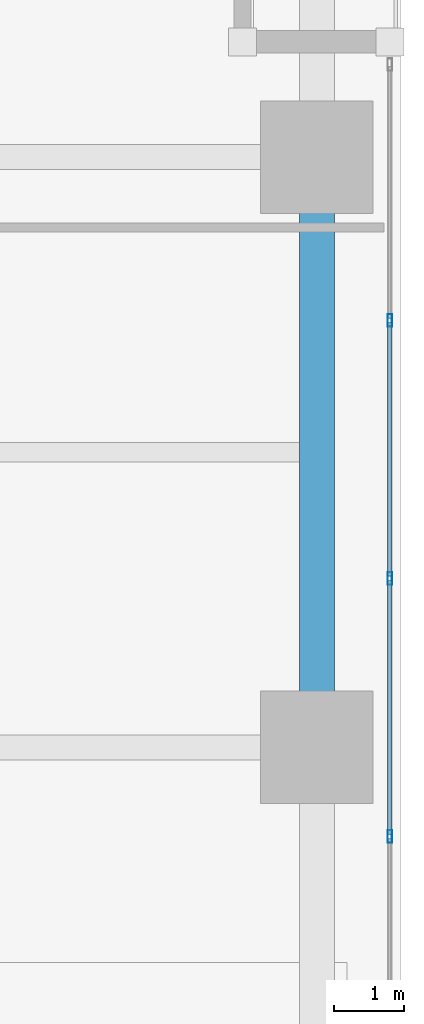
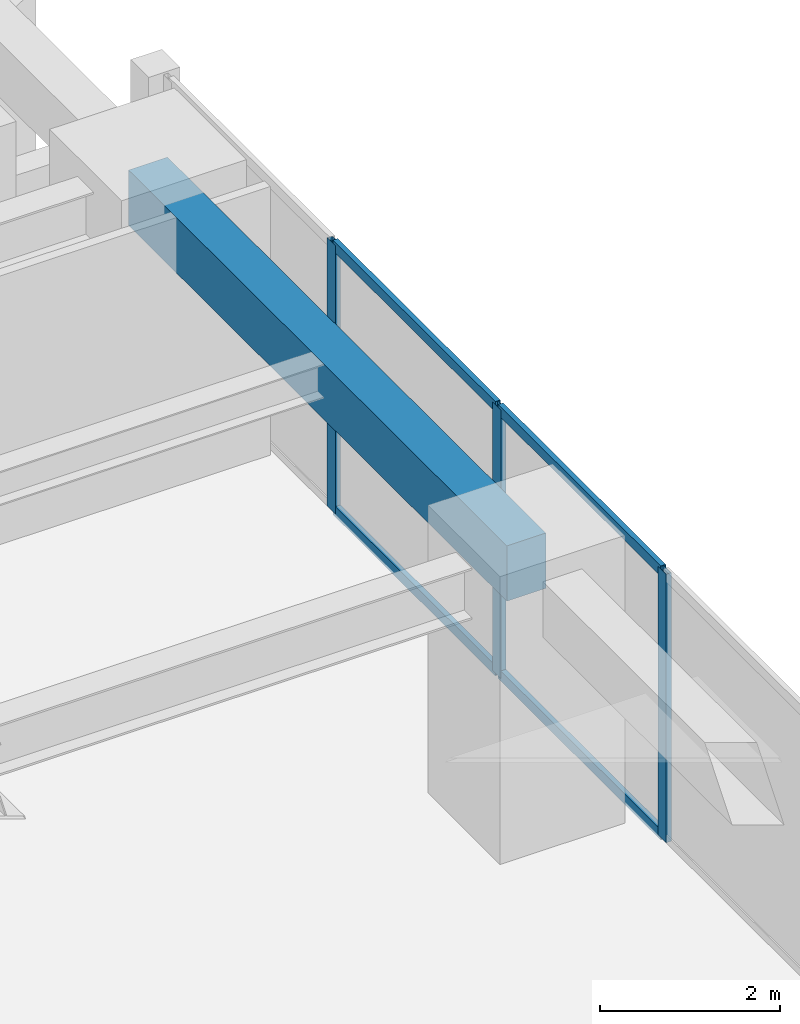
# One storey, part 8 of 29: 7 members, 1 beam, 1 element without a shape of its own.
"""IFC4 building model written with IfcOpenShell, lengths in metres."""

from ifc_helpers import new_model, si_unit, direction, frame, origin, origin_2d, place, context, subcontext, project, spatial, rectangle, hollow_rectangle, extrude, material, layer, layer_set, material_profile, profile_set, type_object, element, aggregate, save


model = new_model("IFC4")

# Units and contexts
model_context = context("Model", 3, precision=1e-05, world=origin(), true_north=direction((0.0, 1.0)))
body_context = subcontext(model_context, "Body", "Model", "MODEL_VIEW")
ifc_project = project(units=[si_unit("LENGTHUNIT", "METRE"), si_unit("AREAUNIT", "SQUARE_METRE"), si_unit("VOLUMEUNIT", "CUBIC_METRE"), si_unit("PLANEANGLEUNIT", "RADIAN"), si_unit("MASSUNIT", "GRAM", prefix="KILO")], contexts=[model_context])

# Site, building, storey
site_placement = place(None, origin())
site = spatial("IfcSite", under=ifc_project, at=site_placement, CompositionType="ELEMENT")
building_placement = place(site_placement, origin())
building = spatial("IfcBuilding", under=site, at=building_placement, Name="Kiyonajd Concourse Tower", CompositionType="ELEMENT")
storey_placement = place(building_placement, frame((0.0, 0.0, 45.0)))
storey = spatial("IfcBuildingStorey", under=building, at=storey_placement, Name="L12", CompositionType="ELEMENT", Elevation=45.0)

# Beam
ifc_material_1 = material(Name="Precast concrete C50/60", Category="concrete")
ifc_material_profile_1 = material_profile(ifc_material_1, rectangle(XDim=0.5, YDim=0.75, at=origin_2d()), Name="RCBM-500x750")
ifc_profile_set_1 = profile_set([ifc_material_profile_1], Name="Precast concrete C50/60")
beam_type = type_object("IfcBeamType", Name="BM-SPAN-RC", PredefinedType="SPANDREL", material=ifc_profile_set_1)
beam_placement = place(storey_placement, frame((78.0, 27.60009765625, 3.264892578125), z_axis=(0.0, 1.0, 0.0), x_axis=(-1.0, 0.0, 0.0)))
element("IfcBeam", 1, at=beam_placement, inside=storey, type_object=beam_type, Name="L12 Perimeter Bundled Tube Spandrel", PredefinedType="SPANDREL", context=body_context, shape_type="SweptSolid", body=[
    extrude(rectangle(XDim=0.5, YDim=0.75, at=origin_2d()), origin(), (0.0, 0.0, 1.0), 8.39990234375),
])

# Curtain wall, members
ifc_material_2 = material(Name="Thermally Broken Anodised Aluminium", Category="aluminium")
ifc_layer = layer(ifc_material_2, 0.179931640625)
ifc_layer_set = layer_set([ifc_layer], Name="Thermally Broken Anodised Aluminium")
curtain_wall_type = type_object("IfcCurtainWallType", Name="CW-SYS-02", PredefinedType="NOTDEFINED", material=ifc_layer_set)
curtain_wall_placement = place(storey_placement, origin())
curtain_wall = element("IfcCurtainWall", 2, at=curtain_wall_placement, inside=storey, type_object=curtain_wall_type, Name="L12 Unitised Curtain Wall CW2", PredefinedType="NOTDEFINED")
ifc_material_profile_2 = material_profile(ifc_material_2, hollow_rectangle(XDim=0.06494140625, YDim=0.179931640625, WallThickness=0.00390625, at=origin_2d()), Name="MULL-65x180")
ifc_profile_set_2 = profile_set([ifc_material_profile_2], Name="Thermally Broken Anodised Aluminium")
member_type_1 = type_object("IfcMemberType", Name="MB-CW-MULL1", PredefinedType="MULLION", material=ifc_profile_set_2)
member_1_placement = place(storey_placement, frame((79.0400390625, 33.6767578125, 0.0), z_axis=(0.0, 0.0, 1.0), x_axis=(1.0, 0.0, 0.0)))
member_1 = element("IfcMember", 3, at=member_1_placement, type_object=member_type_1, Name="CW2 mullion 2", PredefinedType="MULLION", context=body_context, shape_type="SweptSolid", body=[
    extrude(hollow_rectangle(XDim=0.06494140625, YDim=0.179931640625, WallThickness=0.00390625, at=origin_2d()), origin(), (0.0, 0.0, 1.0), 3.639892578125),
])
member_2_placement = place(storey_placement, frame((79.0400390625, 30.003662109375, 0.0), z_axis=(0.0, 0.0, 1.0), x_axis=(1.0, 0.0, 0.0)))
member_2 = element("IfcMember", 4, at=member_2_placement, type_object=member_type_1, Name="CW2 mullion 3", PredefinedType="MULLION", context=body_context, shape_type="SweptSolid", body=[
    extrude(hollow_rectangle(XDim=0.06494140625, YDim=0.179931640625, WallThickness=0.00390625, at=origin_2d()), origin(), (0.0, 0.0, 1.0), 3.639892578125),
])
member_3_placement = place(storey_placement, frame((79.0400390625, 26.33056640625, 0.0), z_axis=(0.0, 0.0, 1.0), x_axis=(1.0, 0.0, 0.0)))
member_3 = element("IfcMember", 5, at=member_3_placement, type_object=member_type_1, Name="CW2 mullion 4", PredefinedType="MULLION", context=body_context, shape_type="SweptSolid", body=[
    extrude(hollow_rectangle(XDim=0.06494140625, YDim=0.179931640625, WallThickness=0.00390625, at=origin_2d()), origin(), (0.0, 0.0, 1.0), 3.639892578125),
])
ifc_material_profile_3 = material_profile(ifc_material_2, hollow_rectangle(XDim=0.06494140625, YDim=0.139892578125, WallThickness=0.00390625, at=origin_2d()), Name="TRAN-65x140")
ifc_profile_set_3 = profile_set([ifc_material_profile_3], Name="Thermally Broken Anodised Aluminium")
member_type_2 = type_object("IfcMemberType", Name="MB-CW-TRAN1", PredefinedType="USERDEFINED", material=ifc_profile_set_3)
member_4_placement = place(storey_placement, frame((79.0400390625, 33.644287109375, 0.032470703125), z_axis=(0.0, -1.0, 0.0), x_axis=(1.0, 0.0, 0.0)))
member_4 = element("IfcMember", 6, at=member_4_placement, type_object=member_type_2, Name="CW2 transom 2.1", ObjectType="TRANSOM", PredefinedType="USERDEFINED", context=body_context, shape_type="SweptSolid", body=[
    extrude(hollow_rectangle(XDim=0.06494140625, YDim=0.139892578125, WallThickness=0.00390625, at=origin_2d()), origin(), (0.0, 0.0, 1.0), 3.608154296875),
])
member_5_placement = place(storey_placement, frame((79.0400390625, 33.644287109375, 3.607421875), z_axis=(0.0, -1.0, 0.0), x_axis=(1.0, 0.0, 0.0)))
member_5 = element("IfcMember", 7, at=member_5_placement, type_object=member_type_2, Name="CW2 transom 2.2", ObjectType="TRANSOM", PredefinedType="USERDEFINED", context=body_context, shape_type="SweptSolid", body=[
    extrude(hollow_rectangle(XDim=0.06494140625, YDim=0.139892578125, WallThickness=0.00390625, at=origin_2d()), origin(), (0.0, 0.0, 1.0), 3.608154296875),
])
member_6_placement = place(storey_placement, frame((79.0400390625, 29.97119140625, 0.032470703125), z_axis=(0.0, -1.0, 0.0), x_axis=(1.0, 0.0, 0.0)))
member_6 = element("IfcMember", 8, at=member_6_placement, type_object=member_type_2, Name="CW2 transom 3.1", ObjectType="TRANSOM", PredefinedType="USERDEFINED", context=body_context, shape_type="SweptSolid", body=[
    extrude(hollow_rectangle(XDim=0.06494140625, YDim=0.139892578125, WallThickness=0.00390625, at=origin_2d()), origin(), (0.0, 0.0, 1.0), 3.608154296875),
])
member_7_placement = place(storey_placement, frame((79.0400390625, 29.97119140625, 3.607421875), z_axis=(0.0, -1.0, 0.0), x_axis=(1.0, 0.0, 0.0)))
member_7 = element("IfcMember", 9, at=member_7_placement, type_object=member_type_2, Name="CW2 transom 3.2", ObjectType="TRANSOM", PredefinedType="USERDEFINED", context=body_context, shape_type="SweptSolid", body=[
    extrude(hollow_rectangle(XDim=0.06494140625, YDim=0.139892578125, WallThickness=0.00390625, at=origin_2d()), origin(), (0.0, 0.0, 1.0), 3.608154296875),
])
aggregate(curtain_wall, [member_1, member_2, member_3, member_4, member_5, member_6, member_7])

save(model, "model.ifc")
